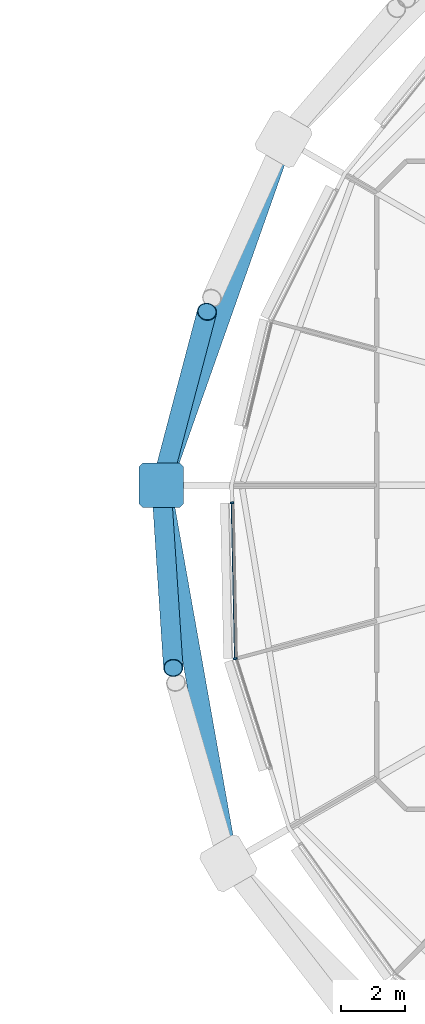
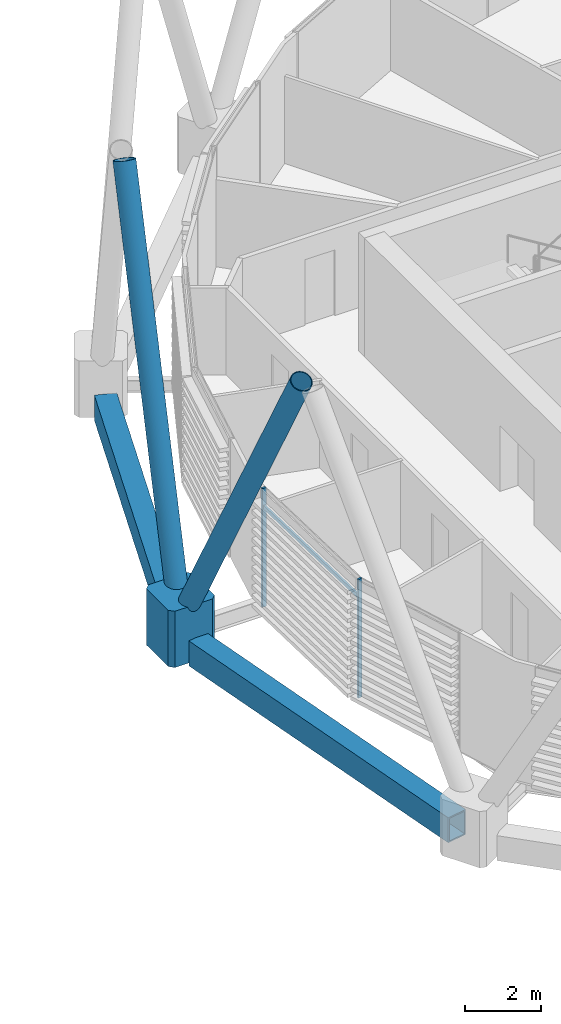
# One storey, part 9 of 36: 6 members, 2 beams, 1 element without a shape of its own.
"""IFC4 building model written with IfcOpenShell, lengths in metres."""

from ifc_helpers import new_model, si_unit, direction, frame, origin, origin_2d, place, context, subcontext, project, spatial, polyline, rectangle, hollow_rectangle, hollow_circle, outline, extrude, material, material_profile, profile_set, type_object, element, aggregate, save


model = new_model("IFC4")

# Units and contexts
model_context = context("Model", 3, precision=1e-05, world=origin(), true_north=direction((0.0, 1.0)))
body_context = subcontext(model_context, "Body", "Model", "MODEL_VIEW")
ifc_project = project(units=[si_unit("LENGTHUNIT", "METRE"), si_unit("AREAUNIT", "SQUARE_METRE"), si_unit("VOLUMEUNIT", "CUBIC_METRE"), si_unit("PLANEANGLEUNIT", "RADIAN"), si_unit("MASSUNIT", "GRAM", prefix="KILO")], contexts=[model_context])

# Site, building, storey
site_placement = place(None, origin())
site = spatial("IfcSite", under=ifc_project, at=site_placement, CompositionType="ELEMENT")
building_placement = place(site_placement, origin())
building = spatial("IfcBuilding", under=site, at=building_placement, Name="Rimbun Link Towers", CompositionType="ELEMENT")
storey_placement = place(building_placement, frame((0.0, 0.0, 193.10009765625)))
storey = spatial("IfcBuildingStorey", under=building, at=storey_placement, Name="L47", CompositionType="ELEMENT", Elevation=193.10009765625)

# Curtain wall, members
ifc_material_1 = material(Name="Aluminium 6063-T6 and low-iron glass", Category="aluminium")
curtain_wall_type = type_object("IfcCurtainWallType", Name="CW1-Z3 unitised vision wall (zone 3)", PredefinedType="NOTDEFINED", material=ifc_material_1)
curtain_wall_placement = place(storey_placement, origin())
curtain_wall = element("IfcCurtainWall", 1, at=curtain_wall_placement, inside=storey, type_object=curtain_wall_type, Name="CW1 L47 T2", PredefinedType="NOTDEFINED")
ifc_material_2 = material(Name="Aluminium 6063-T6", Category="aluminium")
ifc_material_profile_1 = material_profile(ifc_material_2, rectangle(XDim=0.1201171875, YDim=0.06005859375, at=origin_2d()), Name="MULLION 60X120")
ifc_profile_set_1 = profile_set([ifc_material_profile_1], Name="Aluminium 6063-T6")
member_type_1 = type_object("IfcMemberType", Name="CW1 mullion 60X120", PredefinedType="MULLION", material=ifc_profile_set_1)
member_1_placement = place(storey_placement, frame((11.5693359375, -5.4013671875, 0.0), z_axis=(0.0, 0.0, 1.0), x_axis=(-0.9865019168, -0.16374971191, 0.0)))
member_1 = element("IfcMember", 2, at=member_1_placement, type_object=member_type_1, Name="CW1 mullion", PredefinedType="MULLION", context=body_context, shape_type="SweptSolid", body=[
    extrude(rectangle(XDim=0.1201171875, YDim=0.06005859375, at=origin_2d()), origin(), (0.0, 0.0, 1.0), 3.7998046875),
])
member_2_placement = place(storey_placement, frame((11.466552734375, -0.551025390625, 0.0), z_axis=(0.0, 0.0, 1.0), x_axis=(-0.999778097154, -0.021065527565, 0.0)))
member_2 = element("IfcMember", 3, at=member_2_placement, type_object=member_type_1, Name="CW1 mullion", PredefinedType="MULLION", context=body_context, shape_type="SweptSolid", body=[
    extrude(rectangle(XDim=0.1201171875, YDim=0.06005859375, at=origin_2d()), origin(), (0.0, 0.0, 1.0), 3.7998046875),
])
ifc_material_3 = material(Name="Aluminium 6063-T6", Category="aluminium")
ifc_material_profile_2 = material_profile(ifc_material_3, rectangle(XDim=0.06005859375, YDim=0.1201171875, at=origin_2d()), Name="TRANSOM 60X120")
ifc_profile_set_2 = profile_set([ifc_material_profile_2], Name="Aluminium 6063-T6")
member_type_2 = type_object("IfcMemberType", Name="CW1 transom 60X120", PredefinedType="USERDEFINED", material=ifc_profile_set_2)
member_3_placement = place(storey_placement, frame((11.56982421875, -5.36279296875, 3.199951171875), z_axis=(-0.021030781038, 0.999778828666, 0.0), x_axis=(-0.999778828666, -0.021030781038, 0.0)))
member_3 = element("IfcMember", 4, at=member_3_placement, type_object=member_type_2, Name="CW1 transom", ObjectType="TRANSOM", PredefinedType="USERDEFINED", context=body_context, shape_type="SweptSolid", body=[
    extrude(rectangle(XDim=0.06005859375, YDim=0.1201171875, at=origin_2d()), origin(), (0.0, 0.0, 1.0), 4.78271484375),
])
aggregate(curtain_wall, [member_1, member_2, member_3])

# Members
ifc_material_4 = material(Name="Steel S355J2H", Category="steel")
ifc_material_profile_3 = material_profile(ifc_material_4, hollow_circle(Radius=0.3046875, WallThickness=0.02490234375, at=origin_2d()), Name="Diagrid diagonal CHS 610x25")
ifc_profile_set_3 = profile_set([ifc_material_profile_3], Name="Steel S355J2H")
member_type_3 = type_object("IfcMemberType", Name="Diagrid diagonal CHS 610x25", PredefinedType="BRACE", material=ifc_profile_set_3)
member_4_placement = place(storey_placement, frame((9.32275390625, 0.2197265625, 0.4453125), z_axis=(0.115847372251, 0.439677917546, 0.890652971232), x_axis=(-0.966997274433, 0.254786717155, 0.0)))
element("IfcMember", 5, at=member_4_placement, inside=storey, type_object=member_type_3, Name="Diagrid diagonal T2 L47-L50 09a", PredefinedType="BRACE", context=body_context, shape_type="SweptSolid", body=[
    extrude(hollow_circle(Radius=0.3046875, WallThickness=0.02490234375, at=origin_2d()), origin(), (0.0, 0.0, 1.0), 11.799560546875),
])
member_5_placement = place(storey_placement, frame((9.280029296875, -0.23046875, 0.443359375), z_axis=(0.030219811861, -0.460692482937, 0.887045206929), x_axis=(0.997855468266, 0.065455820602, 0.0)))
element("IfcMember", 6, at=member_5_placement, inside=storey, type_object=member_type_3, Name="Diagrid diagonal T2 L47-L50 09b", PredefinedType="BRACE", context=body_context, shape_type="SweptSolid", body=[
    extrude(hollow_circle(Radius=0.3046875, WallThickness=0.02490234375, at=origin_2d()), origin(), (0.0, 0.0, 1.0), 11.8515625),
])
ifc_material_5 = material(Name="Cast steel G20Mn5+QT, Rp0.2 300 MPa", Category="steel")
ifc_material_profile_4 = material_profile(ifc_material_5, outline(polyline([(0.699951171875, -0.570068359375), (0.699951171875, 0.570068359375), (0.570068359375, 0.699951171875), (-0.570068359375, 0.699951171875), (-0.699951171875, 0.570068359375), (-0.699951171875, -0.570068359375), (-0.570068359375, -0.699951171875), (0.570068359375, -0.699951171875), (0.699951171875, -0.570068359375)])), Name="NODE 1400x1400")
ifc_profile_set_4 = profile_set([ifc_material_profile_4], Name="Cast steel G20Mn5+QT, Rp0.2 300 MPa")
member_type_4 = type_object("IfcMemberType", Name="Diagrid node cast 1400", PredefinedType="USERDEFINED", material=ifc_profile_set_4)
member_6_placement = place(storey_placement, frame((9.264892578125, 0.0, -0.900146484375), z_axis=(0.0, 0.0, 1.0), x_axis=(-1.0, 0.0, 0.0)))
element("IfcMember", 7, at=member_6_placement, inside=storey, type_object=member_type_4, Name="Diagrid node L47 09", ObjectType="Diagrid node", PredefinedType="USERDEFINED", context=body_context, shape_type="SweptSolid", body=[
    extrude(outline(polyline([(0.699951171875, -0.570068359375), (0.699951171875, 0.570068359375), (0.570068359375, 0.699951171875), (-0.570068359375, 0.699951171875), (-0.699951171875, 0.570068359375), (-0.699951171875, -0.570068359375), (-0.570068359375, -0.699951171875), (0.570068359375, -0.699951171875), (0.699951171875, -0.570068359375)])), origin(), (0.0, 0.0, 1.0), 1.800048828125),
])

# Beams
ifc_material_6 = material(Name="Steel S355J2", Category="steel")
ifc_material_profile_5 = material_profile(ifc_material_6, hollow_rectangle(XDim=0.60009765625, YDim=0.800048828125, WallThickness=0.0400390625, at=origin_2d()), Name="Exoskeleton ring girder BOX 600x800x40")
ifc_profile_set_5 = profile_set([ifc_material_profile_5], Name="Steel S355J2")
beam_type = type_object("IfcBeamType", Name="Exoskeleton ring girder BOX 600x800x40", PredefinedType="BEAM", material=ifc_profile_set_5)
beam_1_placement = place(storey_placement, frame((12.84228515625, 10.12158203125, -0.56005859375), z_axis=(-0.333226034247, -0.942846970669, 0.0), x_axis=(0.942846970669, -0.333226034247, 0.0)))
element("IfcBeam", 8, at=beam_1_placement, inside=storey, type_object=beam_type, Name="Exoskeleton ring girder L47 03", PredefinedType="BEAM", context=body_context, shape_type="SweptSolid", body=[
    extrude(hollow_rectangle(XDim=0.60009765625, YDim=0.800048828125, WallThickness=0.0400390625, at=origin_2d()), origin(), (0.0, 0.0, 1.0), 10.03515625),
])
beam_2_placement = place(storey_placement, frame((9.38720703125, -0.689208984375, -0.56005859375), z_axis=(0.17455023339, -0.984648270208, 0.0), x_axis=(0.984648270208, 0.17455023339, 0.0)))
element("IfcBeam", 9, at=beam_2_placement, inside=storey, type_object=beam_type, Name="Exoskeleton ring girder L47 04", PredefinedType="BEAM", context=body_context, shape_type="SweptSolid", body=[
    extrude(hollow_rectangle(XDim=0.60009765625, YDim=0.800048828125, WallThickness=0.0400390625, at=origin_2d()), origin(), (0.0, 0.0, 1.0), 10.56005859375),
])

save(model, "model.ifc")
